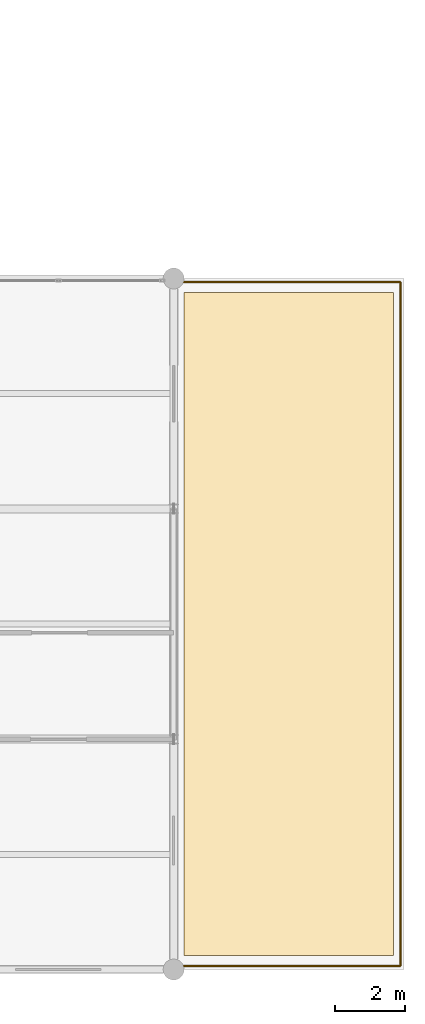
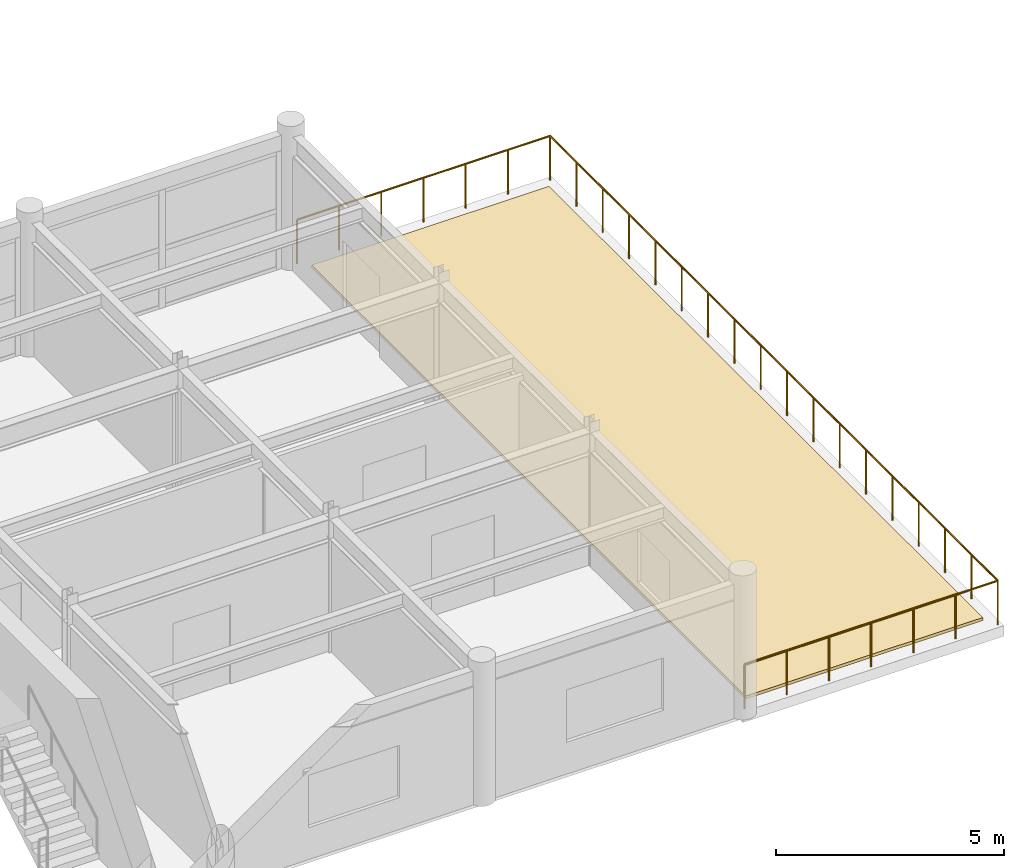
# One storey, part 28 of 28: 1 covering, 1 railing.
"""IFC4 building model written with IfcOpenShell, lengths in metres."""

from ifc_helpers import new_model, si_unit, direction, frame, origin, origin_2d, place, context, subcontext, project, spatial, polyline, circle, outline, extrude, material, layer, layer_set, type_object, element, save


model = new_model("IFC4")

# Units and contexts
model_context = context("Model", 3, precision=1e-05, world=origin(), true_north=direction((0.0, 1.0)))
body_context = subcontext(model_context, "Body", "Model", "MODEL_VIEW")
ifc_project = project(units=[si_unit("LENGTHUNIT", "METRE"), si_unit("AREAUNIT", "SQUARE_METRE"), si_unit("VOLUMEUNIT", "CUBIC_METRE"), si_unit("PLANEANGLEUNIT", "RADIAN"), si_unit("MASSUNIT", "GRAM", prefix="KILO")], contexts=[model_context])

# Site, building, storey
site_placement = place(None, origin())
site = spatial("IfcSite", under=ifc_project, at=site_placement, CompositionType="ELEMENT")
building_placement = place(site_placement, origin())
building = spatial("IfcBuilding", under=site, at=building_placement, Name="Karori Crest Natural Sciences Institute", CompositionType="ELEMENT")
storey_placement = place(building_placement, frame((0.0, 0.0, 34.300048828125)))
storey = spatial("IfcBuildingStorey", under=building, at=storey_placement, Name="L08", CompositionType="ELEMENT", Elevation=34.300048828125)

# Covering
ifc_material_1 = material(Name="Planted coastal roof garden substrate and membrane")
ifc_layer = layer(ifc_material_1, 0.080078125, Name="Planted coastal roof garden substrate and membrane")
ifc_layer_set = layer_set([ifc_layer], Name="Planted coastal roof garden substrate and membrane")
covering_type = type_object("IfcCoveringType", Name="CVT-ROOF", PredefinedType="ROOFING", material=ifc_layer_set)
covering_placement = place(storey_placement, origin())
element("IfcCovering", 1, at=covering_placement, inside=storey, type_object=covering_type, Name="Roof membrane and garden covering RF-0006", PredefinedType="ROOFING", context=body_context, shape_type="SweptSolid", body=[
    extrude(outline(polyline([(150.10009765625, 1.199951171875), (156.10009765625, 1.199951171875), (156.10009765625, 20.199951171875), (150.10009765625, 20.199951171875), (150.10009765625, 1.199951171875)])), origin(), (0.0, 0.0, 1.0), 0.079833984375),
])

# Railing
ifc_material_2 = material(Name="Stainless steel 316 balustrade", Category="steel")
railing_type = type_object("IfcRailingType", Name="RLT-GRD", PredefinedType="GUARDRAIL", material=ifc_material_2)
railing_placement = place(storey_placement, frame((149.89990234375, 20.5, 0.0)))
element("IfcRailing", 2, at=railing_placement, inside=storey, type_object=railing_type, Name="V5 L08 roof garden guard GR-0014", PredefinedType="GUARDRAIL", context=body_context, shape_type="SweptSolid", body=[
    extrude(circle(Radius=0.02392578125, at=origin_2d()), frame((0.0, 0.0, 1.17578125), z_axis=(1.0, 0.0, 0.0), x_axis=(0.0, 1.0, 0.0)), (0.0, 0.0, 1.0), 6.400146484375),
    extrude(circle(Radius=0.02392578125, at=origin_2d()), frame((6.400146484375, 0.0, 1.17578125), z_axis=(0.0, -1.0, 0.0), x_axis=(1.0, 0.0, 0.0)), (0.0, 0.0, 1.0), 19.60009765625),
    extrude(circle(Radius=0.02392578125, at=origin_2d()), frame((6.400146484375, -19.60009765625, 1.17578125), z_axis=(-1.0, 0.0, 0.0), x_axis=(0.0, -1.0, 0.0)), (0.0, 0.0, 1.0), 6.400146484375),
    extrude(circle(Radius=0.02099609375, at=origin_2d()), origin(), (0.0, 0.0, 1.0), 1.15185546875),
    extrude(circle(Radius=0.02099609375, at=origin_2d()), frame((1.066650390625, 0.0, 0.0)), (0.0, 0.0, 1.0), 1.15185546875),
    extrude(circle(Radius=0.02099609375, at=origin_2d()), frame((2.13330078125, 0.0, 0.0)), (0.0, 0.0, 1.0), 1.15185546875),
    extrude(circle(Radius=0.02099609375, at=origin_2d()), frame((3.2001953125, 0.0, 0.0)), (0.0, 0.0, 1.0), 1.15185546875),
    extrude(circle(Radius=0.02099609375, at=origin_2d()), frame((4.266845703125, 0.0, 0.0)), (0.0, 0.0, 1.0), 1.15185546875),
    extrude(circle(Radius=0.02099609375, at=origin_2d()), frame((5.33349609375, 0.0, 0.0)), (0.0, 0.0, 1.0), 1.15185546875),
    extrude(circle(Radius=0.02099609375, at=origin_2d()), frame((6.400146484375, 0.0, 0.0)), (0.0, 0.0, 1.0), 1.15185546875),
    extrude(circle(Radius=0.02099609375, at=origin_2d()), frame((6.400146484375, -1.15283203125, 0.0)), (0.0, 0.0, 1.0), 1.15185546875),
    extrude(circle(Radius=0.02099609375, at=origin_2d()), frame((6.400146484375, -2.305908203125, 0.0)), (0.0, 0.0, 1.0), 1.15185546875),
    extrude(circle(Radius=0.02099609375, at=origin_2d()), frame((6.400146484375, -3.458740234375, 0.0)), (0.0, 0.0, 1.0), 1.15185546875),
    extrude(circle(Radius=0.02099609375, at=origin_2d()), frame((6.400146484375, -4.61181640625, 0.0)), (0.0, 0.0, 1.0), 1.15185546875),
    extrude(circle(Radius=0.02099609375, at=origin_2d()), frame((6.400146484375, -5.7646484375, 0.0)), (0.0, 0.0, 1.0), 1.15185546875),
    extrude(circle(Radius=0.02099609375, at=origin_2d()), frame((6.400146484375, -6.917724609375, 0.0)), (0.0, 0.0, 1.0), 1.15185546875),
    extrude(circle(Radius=0.02099609375, at=origin_2d()), frame((6.400146484375, -8.070556640625, 0.0)), (0.0, 0.0, 1.0), 1.15185546875),
    extrude(circle(Radius=0.02099609375, at=origin_2d()), frame((6.400146484375, -9.2236328125, 0.0)), (0.0, 0.0, 1.0), 1.15185546875),
    extrude(circle(Radius=0.02099609375, at=origin_2d()), frame((6.400146484375, -10.37646484375, 0.0)), (0.0, 0.0, 1.0), 1.15185546875),
    extrude(circle(Radius=0.02099609375, at=origin_2d()), frame((6.400146484375, -11.529541015625, 0.0)), (0.0, 0.0, 1.0), 1.15185546875),
    extrude(circle(Radius=0.02099609375, at=origin_2d()), frame((6.400146484375, -12.682373046875, 0.0)), (0.0, 0.0, 1.0), 1.15185546875),
    extrude(circle(Radius=0.02099609375, at=origin_2d()), frame((6.400146484375, -13.83544921875, 0.0)), (0.0, 0.0, 1.0), 1.15185546875),
    extrude(circle(Radius=0.02099609375, at=origin_2d()), frame((6.400146484375, -14.98828125, 0.0)), (0.0, 0.0, 1.0), 1.15185546875),
    extrude(circle(Radius=0.02099609375, at=origin_2d()), frame((6.400146484375, -16.141357421875, 0.0)), (0.0, 0.0, 1.0), 1.15185546875),
    extrude(circle(Radius=0.02099609375, at=origin_2d()), frame((6.400146484375, -17.294189453125, 0.0)), (0.0, 0.0, 1.0), 1.15185546875),
    extrude(circle(Radius=0.02099609375, at=origin_2d()), frame((6.400146484375, -18.447265625, 0.0)), (0.0, 0.0, 1.0), 1.15185546875),
    extrude(circle(Radius=0.02099609375, at=origin_2d()), frame((6.400146484375, -19.60009765625, 0.0)), (0.0, 0.0, 1.0), 1.15185546875),
    extrude(circle(Radius=0.02099609375, at=origin_2d()), frame((5.33349609375, -19.60009765625, 0.0)), (0.0, 0.0, 1.0), 1.15185546875),
    extrude(circle(Radius=0.02099609375, at=origin_2d()), frame((4.266845703125, -19.60009765625, 0.0)), (0.0, 0.0, 1.0), 1.15185546875),
    extrude(circle(Radius=0.02099609375, at=origin_2d()), frame((3.2001953125, -19.60009765625, 0.0)), (0.0, 0.0, 1.0), 1.15185546875),
    extrude(circle(Radius=0.02099609375, at=origin_2d()), frame((2.13330078125, -19.60009765625, 0.0)), (0.0, 0.0, 1.0), 1.15185546875),
    extrude(circle(Radius=0.02099609375, at=origin_2d()), frame((1.066650390625, -19.60009765625, 0.0)), (0.0, 0.0, 1.0), 1.15185546875),
    extrude(circle(Radius=0.02099609375, at=origin_2d()), frame((0.0, -19.60009765625, 0.0)), (0.0, 0.0, 1.0), 1.15185546875),
])

save(model, "model.ifc")
